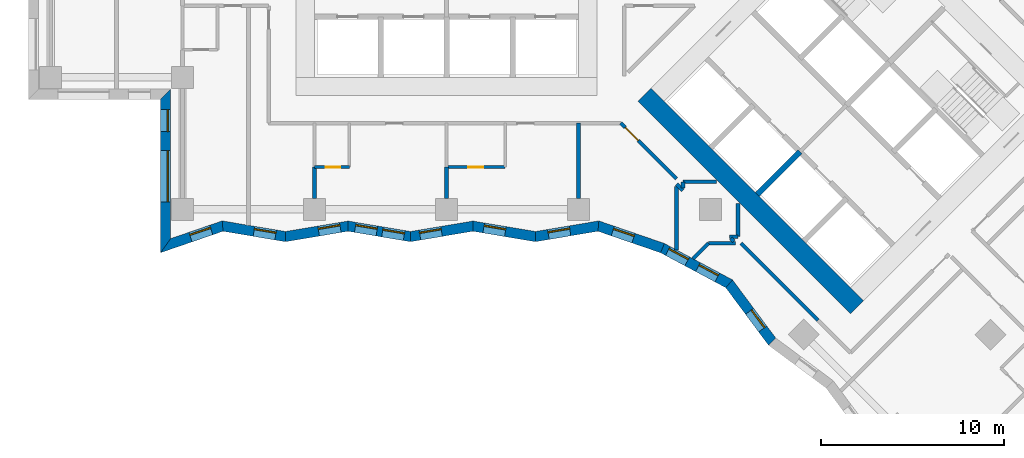
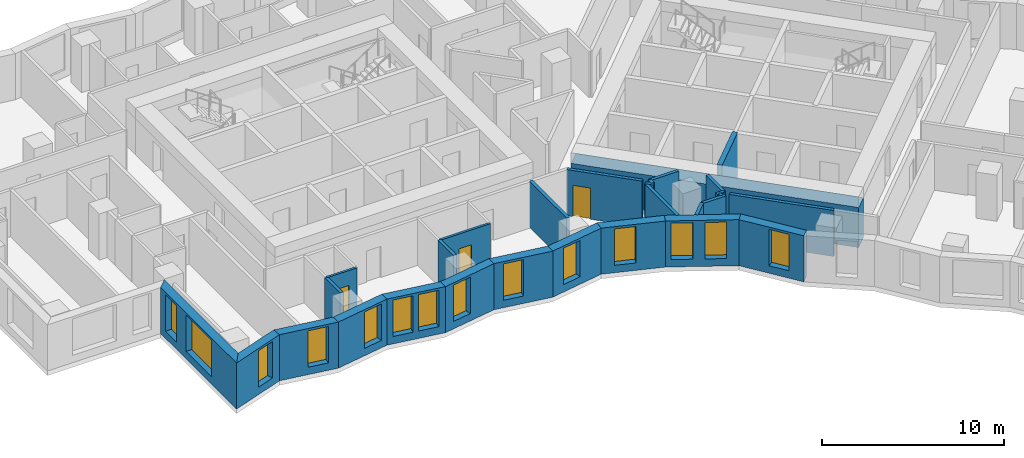
# One storey, part 2 of 12: 29 walls, 14 windows, 3 doors, 17 openings.
"""IFC4 building model written with IfcOpenShell, lengths in metres."""

import ifcopenshell
import ifcopenshell.guid

model = None  # the IFC model being written
_history = None  # IfcOwnerHistory: only IFC2X3 demands one
_inside = {}  # id of a spatial element -> (the spatial element, [elements in it])
_under = {}  # id of a project, library or spatial element -> (it, [spatial elements below it])
_declared = {}  # id of a project -> (the project, [libraries it declares])
_typed = {}  # id of a type object -> (the type object, [elements of that type])
_made_of = {}  # id of a material, layer set ... -> (it, [elements and type objects made of it])


def new_model(schema):
    """Start an empty IFC model of exactly this schema.

    Asked for "IFC4X3", IfcOpenShell would pick the latest addendum, in which some entities
    have other attributes; the version numbers below select the first issue.
    IFC2X3 requires an IfcOwnerHistory on every rooted entity: one is made here for all.
    """
    global model, _history
    if schema == "IFC4X3":
        model = ifcopenshell.file(schema_version=(4, 3, 0, 0))
    else:
        model = ifcopenshell.file(schema=schema)
    _inside.clear()
    _under.clear()
    _declared.clear()
    _typed.clear()
    _made_of.clear()
    _history = None
    if model.schema == "IFC2X3":
        org = make("IfcOrganization", Name="unknown")
        user = make(
            "IfcPersonAndOrganization",
            ThePerson=make("IfcPerson", FamilyName="unknown"),
            TheOrganization=org,
        )
        app = make(
            "IfcApplication",
            ApplicationDeveloper=org,
            Version="unknown",
            ApplicationFullName="unknown",
            ApplicationIdentifier="unknown",
        )
        _history = make(
            "IfcOwnerHistory",
            OwningUser=user,
            OwningApplication=app,
            ChangeAction="ADDED",
            CreationDate=0,
        )
    return model


def make(cls, **values):
    """One entity of the class cls with the attributes given. An attribute that is None is left unset."""
    return model.create_entity(
        cls, **{name: value for name, value in values.items() if value is not None}
    )


def rooted(cls, **values):
    """An entity with a GlobalId (a new one), such as an element, a storey or a relation."""
    return make(cls, GlobalId=ifcopenshell.guid.new(), OwnerHistory=_history, **values)


def si_unit(unit_type, name, prefix=None):
    """IfcSIUnit, for example si_unit("LENGTHUNIT", "METRE", prefix="MILLI")."""
    return make("IfcSIUnit", UnitType=unit_type, Prefix=prefix, Name=name)


def assignment(units):
    """IfcUnitAssignment: the units of a project."""
    return None if units is None else make("IfcUnitAssignment", Units=units)


def point(xyz):
    """IfcCartesianPoint."""
    return None if xyz is None else make("IfcCartesianPoint", Coordinates=xyz)


def direction(xyz):
    """IfcDirection."""
    return None if xyz is None else make("IfcDirection", DirectionRatios=xyz)


def frame(location, z_axis=None, x_axis=None):
    """IfcAxis2Placement3D, a coordinate frame: its origin and axes. An axis left out is left unset."""
    return make(
        "IfcAxis2Placement3D",
        Location=point(location),
        Axis=direction(z_axis),
        RefDirection=direction(x_axis),
    )


def frame_2d(location, x_axis=None):
    """IfcAxis2Placement2D, a coordinate frame in the plane: its origin and x axis."""
    return make(
        "IfcAxis2Placement2D", Location=point(location), RefDirection=direction(x_axis)
    )


def origin():
    """The frame at (0, 0, 0) with its axes left unset."""
    return frame((0.0, 0.0, 0.0))


def place(relative_to, where):
    """IfcLocalPlacement: puts the frame where relative to a parent placement (None: the world)."""
    return make(
        "IfcLocalPlacement", PlacementRelTo=relative_to, RelativePlacement=where
    )


def context(
    kind, dimensions, precision=None, world=None, true_north=None, identifier=None
):
    """IfcGeometricRepresentationContext, for example the 3D "Model" context."""
    return make(
        "IfcGeometricRepresentationContext",
        ContextIdentifier=identifier,
        ContextType=kind,
        CoordinateSpaceDimension=dimensions,
        Precision=precision,
        WorldCoordinateSystem=world,
        TrueNorth=true_north,
    )


def subcontext(parent, identifier, kind, view, scale=None):
    """IfcGeometricRepresentationSubContext, for example "Body" below "Model"."""
    return make(
        "IfcGeometricRepresentationSubContext",
        ContextIdentifier=identifier,
        ContextType=kind,
        ParentContext=parent,
        TargetScale=scale,
        TargetView=view,
    )


def project(units=None, contexts=None):
    """IfcProject with its units and contexts."""
    return rooted(
        "IfcProject",
        Name="project",
        RepresentationContexts=contexts,
        UnitsInContext=assignment(units),
    )


def spatial(cls, under=None, at=None, **own):
    """A site, building, storey or space (cls), placed at a placement, below another one or the project."""
    s = rooted(cls, ObjectPlacement=at, **own)
    if under is not None:
        _under.setdefault(under.id(), (under, []))[1].append(s)
    return s


def polyline(points):
    """IfcPolyline through the points."""
    return make("IfcPolyline", Points=[point(p) for p in points])


def profile(cls, at=None, kind="AREA", **sizes):
    """A parametric profile (cls). Its sizes go by their IFC names, for example OverallWidth=200.0."""
    return make(cls, ProfileType=kind, Position=at, **sizes)


def rectangle(**sizes):
    """IfcRectangleProfileDef."""
    return profile("IfcRectangleProfileDef", **sizes)


def outline(outer, holes=None, kind="AREA"):
    """IfcArbitraryClosedProfileDef: a profile drawn as a closed curve; with holes, ...WithVoids."""
    if holes is None:
        return make("IfcArbitraryClosedProfileDef", ProfileType=kind, OuterCurve=outer)
    return make(
        "IfcArbitraryProfileDefWithVoids",
        ProfileType=kind,
        OuterCurve=outer,
        InnerCurves=holes,
    )


def extrude(swept, where, along, depth):
    """IfcExtrudedAreaSolid: the profile swept, set in the frame where, extruded along a direction by depth."""
    return make(
        "IfcExtrudedAreaSolid",
        SweptArea=swept,
        Position=where,
        ExtrudedDirection=direction(along),
        Depth=depth,
    )


def shape(context_of_items, identifier, shape_type, items):
    """IfcShapeRepresentation: the items that make up one representation, for example the "Body"."""
    return make(
        "IfcShapeRepresentation",
        ContextOfItems=context_of_items,
        RepresentationIdentifier=identifier,
        RepresentationType=shape_type,
        Items=items,
    )


def material(Name=None, Category=None):
    """IfcMaterial."""
    return make("IfcMaterial", Name=Name, Category=Category)


def layer(
    of_material, thickness, ventilated=None, Name=None, Category=None, Priority=None
):
    """IfcMaterialLayer: one layer of a wall or slab, of a material (None: an air gap)."""
    return make(
        "IfcMaterialLayer",
        Material=of_material,
        LayerThickness=thickness,
        IsVentilated=ventilated,
        Name=Name,
        Category=Category,
        Priority=Priority,
    )


def layer_set(layers, Name=None):
    """IfcMaterialLayerSet."""
    return make("IfcMaterialLayerSet", MaterialLayers=layers, LayerSetName=Name)


def made_of(thing, what):
    """Note that an element or type object is made of a material, layer set ...; save() writes the relation."""
    if what is not None:
        _made_of.setdefault(what.id(), (what, []))[1].append(thing)
    return thing


def type_object(cls, material=None, **own):
    """A type object (cls), such as IfcWallType, which elements share."""
    return made_of(rooted(cls, **own), material)


def element(
    cls,
    number,
    at=None,
    inside=None,
    cuts=None,
    type_object=None,
    material=None,
    context=None,
    identifier="Body",
    shape_type=None,
    held_by="IfcProductDefinitionShape",
    body=None,
    shapes=None,
    **own,
):
    """One element of the class cls, such as IfcWall. Its Tag is "e" and its number.

    at: its placement. inside: the storey or other place that contains it. cuts: it is an
    opening in that element (IfcRelVoidsElement). A single representation is given by context,
    identifier, shape_type and body (its items); several are given by shapes. held_by: the class
    of the entity that holds the representations. save() writes the other relations.
    """
    e = rooted(cls, Tag="e%d" % number, ObjectPlacement=at, **own)
    if body is not None:
        shapes = [shape(context, identifier, shape_type, body)]
    if shapes is not None:
        e.Representation = make(held_by, Representations=shapes)
    if inside is not None:
        _inside.setdefault(inside.id(), (inside, []))[1].append(e)
    if cuts is not None:
        rooted(
            "IfcRelVoidsElement", RelatingBuildingElement=cuts, RelatedOpeningElement=e
        )
    if type_object is not None:
        _typed.setdefault(type_object.id(), (type_object, []))[1].append(e)
    return made_of(e, material)


def fill(opening, filler):
    """IfcRelFillsElement: the door or window that sits in an opening."""
    return rooted(
        "IfcRelFillsElement",
        RelatingOpeningElement=opening,
        RelatedBuildingElement=filler,
    )


def aggregate(whole, parts):
    """IfcRelAggregates: a whole, such as a stair, and the parts it consists of."""
    return rooted("IfcRelAggregates", RelatingObject=whole, RelatedObjects=parts)


def save(model, path):
    """Write the relations noted so far, then the file.

    IfcRelAggregates (storeys below a building ...), IfcRelContainedInSpatialStructure (elements
    in a storey), IfcRelDefinesByType, IfcRelAssociatesMaterial and IfcRelDeclares: one each for
    every whole, place, type object, material and project.
    """
    for whole, parts in _under.values():
        aggregate(whole, parts)
    for where, things in _inside.values():
        rooted(
            "IfcRelContainedInSpatialStructure",
            RelatedElements=things,
            RelatingStructure=where,
        )
    for kind, things in _typed.values():
        rooted("IfcRelDefinesByType", RelatedObjects=things, RelatingType=kind)
    for what, things in _made_of.values():
        rooted("IfcRelAssociatesMaterial", RelatedObjects=things, RelatingMaterial=what)
    for by, libraries in _declared.values():
        rooted("IfcRelDeclares", RelatingContext=by, RelatedDefinitions=libraries)
    model.write(path)


model = new_model("IFC4")

# Units and contexts
model_context = context("Model", 3, precision=1e-05, world=origin(), true_north=direction((0.0, 1.0)))
body_context = subcontext(model_context, "Body", "Model", "MODEL_VIEW")
ifc_project = project(units=[si_unit("LENGTHUNIT", "METRE"), si_unit("AREAUNIT", "SQUARE_METRE"), si_unit("VOLUMEUNIT", "CUBIC_METRE"), si_unit("PLANEANGLEUNIT", "RADIAN"), si_unit("MASSUNIT", "GRAM", prefix="KILO")], contexts=[model_context])

# Site, building, storey
site_placement = place(None, origin())
site = spatial("IfcSite", under=ifc_project, at=site_placement, CompositionType="ELEMENT")
building_placement = place(site_placement, origin())
building = spatial("IfcBuilding", under=site, at=building_placement, Name="Windrow Commons", CompositionType="ELEMENT")
storey_placement = place(building_placement, frame((0.0, 0.0, 57.6)))
storey = spatial("IfcBuildingStorey", under=building, at=storey_placement, Name="L15", CompositionType="ELEMENT", Elevation=57.6)

# Wall, openings, windows
ifc_material_1 = material(Name="Brick masonry, red clay brick", Category="masonry")
ifc_layer_1 = layer(ifc_material_1, 0.55)
ifc_layer_set_1 = layer_set([ifc_layer_1], Name="Brick facade wall 550")
wall_type_1 = type_object("IfcWallType", Name="Brick facade wall 550", PredefinedType="SOLIDWALL", material=ifc_layer_set_1)
wall_1_placement = place(storey_placement, frame((49.475, 49.475, 0.0), z_axis=(0.0, 0.0, 1.0), x_axis=(0.0, -1.0, 0.0)))
wall_1 = element("IfcWall", 1, at=wall_1_placement, inside=storey, type_object=wall_type_1, Name="Brick facade wall L15 45", PredefinedType="SOLIDWALL", context=body_context, shape_type="SweptSolid", body=[
    extrude(outline(polyline([(0.275, -0.275), (8.647, -0.275), (7.8763, 0.275), (-0.275, 0.275), (0.275, -0.275)])), origin(), (0.0, 0.0, 1.0), 3.1),
])
opening_1_placement = place(wall_1_placement, frame((3.075, 0.0, 0.5)))
opening_1 = element("IfcOpeningElement", 2, at=opening_1_placement, cuts=wall_1, Name="Opening W1T", PredefinedType="OPENING", context=body_context, shape_type="SweptSolid", body=[
    extrude(rectangle(XDim=2.8, YDim=2.45, at=frame_2d((1.4, 1.225))), frame((0.0, 0.285, 0.0), z_axis=(0.0, -1.0, 0.0), x_axis=(1.0, 0.0, 0.0)), (0.0, 0.0, 1.0), 0.57),
])
opening_2_placement = place(wall_1_placement, frame((0.8375, 0.0, 0.5)))
opening_2 = element("IfcOpeningElement", 3, at=opening_2_placement, cuts=wall_1, Name="Opening W7D", PredefinedType="OPENING", context=body_context, shape_type="SweptSolid", body=[
    extrude(rectangle(XDim=1.2, YDim=2.45, at=frame_2d((0.6, 1.225))), frame((0.0, 0.285, 0.0), z_axis=(0.0, -1.0, 0.0), x_axis=(1.0, 0.0, 0.0)), (0.0, 0.0, 1.0), 0.57),
])
ifc_material_2 = material(Name="Clear float glass in anodised aluminium frame", Category="aluminium")
window_type_1 = type_object("IfcWindowType", Name="Window W1T bedroom 2800x2450", PartitioningType="SINGLE_PANEL", PredefinedType="WINDOW", material=ifc_material_2)
window_1_placement = place(opening_1_placement, origin())
window_1 = element("IfcWindow", 4, at=window_1_placement, inside=storey, type_object=window_type_1, Name="Window L15 45.1", OverallHeight=2.45, OverallWidth=2.8, PartitioningType="SINGLE_PANEL", PredefinedType="WINDOW", context=body_context, shape_type="SweptSolid", body=[
    extrude(rectangle(XDim=2.8, YDim=2.45, at=frame_2d((1.4, 1.225))), frame((0.0, 0.155, 0.0), z_axis=(0.0, -1.0, 0.0), x_axis=(1.0, 0.0, 0.0)), (0.0, 0.0, 1.0), 0.06),
])
fill(opening_1, window_1)
ifc_material_3 = material(Name="Clear float glass in anodised aluminium frame", Category="aluminium")
window_type_2 = type_object("IfcWindowType", Name="Window W7 notch 1200x2450", PartitioningType="SINGLE_PANEL", PredefinedType="WINDOW", material=ifc_material_3)
window_2_placement = place(opening_2_placement, origin())
window_2 = element("IfcWindow", 5, at=window_2_placement, inside=storey, type_object=window_type_2, Name="Window L15 45.2", OverallHeight=2.45, OverallWidth=1.2, PartitioningType="SINGLE_PANEL", PredefinedType="WINDOW", context=body_context, shape_type="SweptSolid", body=[
    extrude(rectangle(XDim=1.2, YDim=2.45, at=frame_2d((0.6, 1.225))), frame((0.0, 0.155, 0.0), z_axis=(0.0, -1.0, 0.0), x_axis=(1.0, 0.0, 0.0)), (0.0, 0.0, 1.0), 0.06),
])
fill(opening_2, window_2)

# Wall, opening, window
wall_2_placement = place(storey_placement, frame((49.475, 41.2133, 0.0), z_axis=(0.0, 0.0, 1.0), x_axis=(0.9456585559, 0.3251613379, 0.0)))
wall_2 = element("IfcWall", 6, at=wall_2_placement, inside=storey, type_object=wall_type_1, Name="Brick facade wall L15 46", PredefinedType="SOLIDWALL", context=body_context, shape_type="SweptSolid", body=[
    extrude(outline(polyline([(-0.3853, -0.275), (3.2193, -0.275), (3.359, 0.275), (0.3853, 0.275), (-0.3853, -0.275)])), origin(), (0.0, 0.0, 1.0), 3.1),
])
opening_3_placement = place(wall_2_placement, frame((1.4336, 0.0, 0.5)))
opening_3 = element("IfcOpeningElement", 7, at=opening_3_placement, cuts=wall_2, Name="Opening W7D", PredefinedType="OPENING", context=body_context, shape_type="SweptSolid", body=[
    extrude(rectangle(XDim=1.2, YDim=2.45, at=frame_2d((0.6, 1.225))), frame((0.0, 0.285, 0.0), z_axis=(0.0, -1.0, 0.0), x_axis=(1.0, 0.0, 0.0)), (0.0, 0.0, 1.0), 0.57),
])
window_3_placement = place(opening_3_placement, origin())
window_3 = element("IfcWindow", 8, at=window_3_placement, inside=storey, type_object=window_type_2, Name="Window L15 46.1", OverallHeight=2.45, OverallWidth=1.2, PartitioningType="SINGLE_PANEL", PredefinedType="WINDOW", context=body_context, shape_type="SweptSolid", body=[
    extrude(rectangle(XDim=1.2, YDim=2.45, at=frame_2d((0.6, 1.225))), frame((0.0, 0.155, 0.0), z_axis=(0.0, -1.0, 0.0), x_axis=(1.0, 0.0, 0.0)), (0.0, 0.0, 1.0), 0.06),
])
fill(opening_3, window_3)

wall_3_placement = place(storey_placement, frame((52.5854, 42.2828, 0.0), z_axis=(0.0, 0.0, 1.0), x_axis=(0.9862084709, -0.1655078606, 0.0)))
wall_3 = element("IfcWall", 9, at=wall_3_placement, inside=storey, type_object=wall_type_1, Name="Brick facade wall L15 47", PredefinedType="SOLIDWALL", context=body_context, shape_type="SweptSolid", body=[
    extrude(outline(polyline([(0.0698, -0.275), (3.5263, -0.275), (3.434, 0.275), (-0.0698, 0.275), (0.0698, -0.275)])), origin(), (0.0, 0.0, 1.0), 3.1),
])
opening_4_placement = place(wall_3_placement, frame((1.7342, 0.0, 0.5)))
opening_4 = element("IfcOpeningElement", 10, at=opening_4_placement, cuts=wall_3, Name="Opening W7D", PredefinedType="OPENING", context=body_context, shape_type="SweptSolid", body=[
    extrude(rectangle(XDim=1.2, YDim=2.45, at=frame_2d((0.6, 1.225))), frame((0.0, 0.285, 0.0), z_axis=(0.0, -1.0, 0.0), x_axis=(1.0, 0.0, 0.0)), (0.0, 0.0, 1.0), 0.57),
])
window_4_placement = place(opening_4_placement, origin())
window_4 = element("IfcWindow", 11, at=window_4_placement, inside=storey, type_object=window_type_2, Name="Window L15 47.1", OverallHeight=2.45, OverallWidth=1.2, PartitioningType="SINGLE_PANEL", PredefinedType="WINDOW", context=body_context, shape_type="SweptSolid", body=[
    extrude(rectangle(XDim=1.2, YDim=2.45, at=frame_2d((0.6, 1.225))), frame((0.0, 0.155, 0.0), z_axis=(0.0, -1.0, 0.0), x_axis=(1.0, 0.0, 0.0)), (0.0, 0.0, 1.0), 0.06),
])
fill(opening_4, window_4)

wall_4_placement = place(storey_placement, frame((56.0176, 41.7068, 0.0), z_axis=(0.0, 0.0, 1.0), x_axis=(0.9862119159, 0.1654873316, 0.0)))
wall_4 = element("IfcWall", 12, at=wall_4_placement, inside=storey, type_object=wall_type_1, Name="Brick facade wall L15 48", PredefinedType="SOLIDWALL", context=body_context, shape_type="SweptSolid", body=[
    extrude(outline(polyline([(-0.0461, -0.275), (3.4103, -0.275), (3.5026, 0.275), (0.0461, 0.275), (-0.0461, -0.275)])), origin(), (0.0, 0.0, 1.0), 3.1),
])
opening_5_placement = place(wall_4_placement, frame((1.8305, 0.0, 0.5)))
opening_5 = element("IfcOpeningElement", 13, at=opening_5_placement, cuts=wall_4, Name="Opening W7D", PredefinedType="OPENING", context=body_context, shape_type="SweptSolid", body=[
    extrude(rectangle(XDim=1.2, YDim=2.45, at=frame_2d((0.6, 1.225))), frame((0.0, 0.285, 0.0), z_axis=(0.0, -1.0, 0.0), x_axis=(1.0, 0.0, 0.0)), (0.0, 0.0, 1.0), 0.57),
])
window_5_placement = place(opening_5_placement, origin())
window_5 = element("IfcWindow", 14, at=window_5_placement, inside=storey, type_object=window_type_2, Name="Window L15 48.1", OverallHeight=2.45, OverallWidth=1.2, PartitioningType="SINGLE_PANEL", PredefinedType="WINDOW", context=body_context, shape_type="SweptSolid", body=[
    extrude(rectangle(XDim=1.2, YDim=2.45, at=frame_2d((0.6, 1.225))), frame((0.0, 0.155, 0.0), z_axis=(0.0, -1.0, 0.0), x_axis=(1.0, 0.0, 0.0)), (0.0, 0.0, 1.0), 0.06),
])
fill(opening_5, window_5)

# Wall, openings, windows
wall_5_placement = place(storey_placement, frame((59.4264, 42.2788, 0.0), z_axis=(0.0, 0.0, 1.0), x_axis=(0.9862119159, -0.1654873316, 0.0)))
wall_5 = element("IfcWall", 15, at=wall_5_placement, inside=storey, type_object=wall_type_1, Name="Brick facade wall L15 49", PredefinedType="SOLIDWALL", context=body_context, shape_type="SweptSolid", body=[
    extrude(outline(polyline([(0.0461, -0.275), (3.5026, -0.275), (3.4103, 0.275), (-0.0461, 0.275), (0.0461, -0.275)])), origin(), (0.0, 0.0, 1.0), 3.1),
])
opening_6_placement = place(wall_5_placement, frame((0.3992, 0.0, 0.5)))
opening_6 = element("IfcOpeningElement", 16, at=opening_6_placement, cuts=wall_5, Name="Opening W7D", PredefinedType="OPENING", context=body_context, shape_type="SweptSolid", body=[
    extrude(rectangle(XDim=1.2, YDim=2.45, at=frame_2d((0.6, 1.225))), frame((0.0, 0.285, 0.0), z_axis=(0.0, -1.0, 0.0), x_axis=(1.0, 0.0, 0.0)), (0.0, 0.0, 1.0), 0.57),
])
opening_7_placement = place(wall_5_placement, frame((1.9043, 0.0, 0.5)))
opening_7 = element("IfcOpeningElement", 17, at=opening_7_placement, cuts=wall_5, Name="Opening W7D", PredefinedType="OPENING", context=body_context, shape_type="SweptSolid", body=[
    extrude(rectangle(XDim=1.2, YDim=2.45, at=frame_2d((0.6, 1.225))), frame((0.0, 0.285, 0.0), z_axis=(0.0, -1.0, 0.0), x_axis=(1.0, 0.0, 0.0)), (0.0, 0.0, 1.0), 0.57),
])
window_6_placement = place(opening_6_placement, origin())
window_6 = element("IfcWindow", 18, at=window_6_placement, inside=storey, type_object=window_type_2, Name="Window L15 49.1", OverallHeight=2.45, OverallWidth=1.2, PartitioningType="SINGLE_PANEL", PredefinedType="WINDOW", context=body_context, shape_type="SweptSolid", body=[
    extrude(rectangle(XDim=1.2, YDim=2.45, at=frame_2d((0.6, 1.225))), frame((0.0, 0.155, 0.0), z_axis=(0.0, -1.0, 0.0), x_axis=(1.0, 0.0, 0.0)), (0.0, 0.0, 1.0), 0.06),
])
fill(opening_6, window_6)
window_7_placement = place(opening_7_placement, origin())
window_7 = element("IfcWindow", 19, at=window_7_placement, inside=storey, type_object=window_type_2, Name="Window L15 49.2", OverallHeight=2.45, OverallWidth=1.2, PartitioningType="SINGLE_PANEL", PredefinedType="WINDOW", context=body_context, shape_type="SweptSolid", body=[
    extrude(rectangle(XDim=1.2, YDim=2.45, at=frame_2d((0.6, 1.225))), frame((0.0, 0.155, 0.0), z_axis=(0.0, -1.0, 0.0), x_axis=(1.0, 0.0, 0.0)), (0.0, 0.0, 1.0), 0.06),
])
fill(opening_7, window_7)

# Wall, opening, window
wall_6_placement = place(storey_placement, frame((62.8352, 41.7068, 0.0), z_axis=(0.0, 0.0, 1.0), x_axis=(0.9862119159, 0.1654873316, 0.0)))
wall_6 = element("IfcWall", 20, at=wall_6_placement, inside=storey, type_object=wall_type_1, Name="Brick facade wall L15 50", PredefinedType="SOLIDWALL", context=body_context, shape_type="SweptSolid", body=[
    extrude(outline(polyline([(-0.0461, -0.275), (3.4103, -0.275), (3.5026, 0.275), (0.0461, 0.275), (-0.0461, -0.275)])), origin(), (0.0, 0.0, 1.0), 3.1),
])
opening_8_placement = place(wall_6_placement, frame((0.5192, 0.0, 0.5)))
opening_8 = element("IfcOpeningElement", 21, at=opening_8_placement, cuts=wall_6, Name="Opening W7D", PredefinedType="OPENING", context=body_context, shape_type="SweptSolid", body=[
    extrude(rectangle(XDim=1.2, YDim=2.45, at=frame_2d((0.6, 1.225))), frame((0.0, 0.285, 0.0), z_axis=(0.0, -1.0, 0.0), x_axis=(1.0, 0.0, 0.0)), (0.0, 0.0, 1.0), 0.57),
])
window_8_placement = place(opening_8_placement, origin())
window_8 = element("IfcWindow", 22, at=window_8_placement, inside=storey, type_object=window_type_2, Name="Window L15 50.1", OverallHeight=2.45, OverallWidth=1.2, PartitioningType="SINGLE_PANEL", PredefinedType="WINDOW", context=body_context, shape_type="SweptSolid", body=[
    extrude(rectangle(XDim=1.2, YDim=2.45, at=frame_2d((0.6, 1.225))), frame((0.0, 0.155, 0.0), z_axis=(0.0, -1.0, 0.0), x_axis=(1.0, 0.0, 0.0)), (0.0, 0.0, 1.0), 0.06),
])
fill(opening_8, window_8)

wall_7_placement = place(storey_placement, frame((66.244, 42.2788, 0.0), z_axis=(0.0, 0.0, 1.0), x_axis=(0.9862119159, -0.1654873316, 0.0)))
wall_7 = element("IfcWall", 23, at=wall_7_placement, inside=storey, type_object=wall_type_1, Name="Brick facade wall L15 51", PredefinedType="SOLIDWALL", context=body_context, shape_type="SweptSolid", body=[
    extrude(outline(polyline([(0.0461, -0.275), (3.5026, -0.275), (3.4103, 0.275), (-0.0461, 0.275), (0.0461, -0.275)])), origin(), (0.0, 0.0, 1.0), 3.1),
])
opening_9_placement = place(wall_7_placement, frame((0.5931, 0.0, 0.5)))
opening_9 = element("IfcOpeningElement", 24, at=opening_9_placement, cuts=wall_7, Name="Opening W7D", PredefinedType="OPENING", context=body_context, shape_type="SweptSolid", body=[
    extrude(rectangle(XDim=1.2, YDim=2.45, at=frame_2d((0.6, 1.225))), frame((0.0, 0.285, 0.0), z_axis=(0.0, -1.0, 0.0), x_axis=(1.0, 0.0, 0.0)), (0.0, 0.0, 1.0), 0.57),
])
window_9_placement = place(opening_9_placement, origin())
window_9 = element("IfcWindow", 25, at=window_9_placement, inside=storey, type_object=window_type_2, Name="Window L15 51.1", OverallHeight=2.45, OverallWidth=1.2, PartitioningType="SINGLE_PANEL", PredefinedType="WINDOW", context=body_context, shape_type="SweptSolid", body=[
    extrude(rectangle(XDim=1.2, YDim=2.45, at=frame_2d((0.6, 1.225))), frame((0.0, 0.155, 0.0), z_axis=(0.0, -1.0, 0.0), x_axis=(1.0, 0.0, 0.0)), (0.0, 0.0, 1.0), 0.06),
])
fill(opening_9, window_9)

wall_8_placement = place(storey_placement, frame((69.6528, 41.7068, 0.0), z_axis=(0.0, 0.0, 1.0), x_axis=(0.9862084709, 0.1655078606, 0.0)))
wall_8 = element("IfcWall", 26, at=wall_8_placement, inside=storey, type_object=wall_type_1, Name="Brick facade wall L15 52", PredefinedType="SOLIDWALL", context=body_context, shape_type="SweptSolid", body=[
    extrude(outline(polyline([(-0.0461, -0.275), (3.4103, -0.275), (3.55, 0.275), (0.0461, 0.275), (-0.0461, -0.275)])), origin(), (0.0, 0.0, 1.0), 3.1),
])
opening_10_placement = place(wall_8_placement, frame((0.7131, 0.0, 0.5)))
opening_10 = element("IfcOpeningElement", 27, at=opening_10_placement, cuts=wall_8, Name="Opening W7D", PredefinedType="OPENING", context=body_context, shape_type="SweptSolid", body=[
    extrude(rectangle(XDim=1.2, YDim=2.45, at=frame_2d((0.6, 1.225))), frame((0.0, 0.285, 0.0), z_axis=(0.0, -1.0, 0.0), x_axis=(1.0, 0.0, 0.0)), (0.0, 0.0, 1.0), 0.57),
])
window_10_placement = place(opening_10_placement, origin())
window_10 = element("IfcWindow", 28, at=window_10_placement, inside=storey, type_object=window_type_2, Name="Window L15 52.1", OverallHeight=2.45, OverallWidth=1.2, PartitioningType="SINGLE_PANEL", PredefinedType="WINDOW", context=body_context, shape_type="SweptSolid", body=[
    extrude(rectangle(XDim=1.2, YDim=2.45, at=frame_2d((0.6, 1.225))), frame((0.0, 0.155, 0.0), z_axis=(0.0, -1.0, 0.0), x_axis=(1.0, 0.0, 0.0)), (0.0, 0.0, 1.0), 0.06),
])
fill(opening_10, window_10)

wall_9_placement = place(storey_placement, frame((73.085, 42.2828, 0.0), z_axis=(0.0, 0.0, 1.0), x_axis=(0.9456655462, -0.3251410075, 0.0)))
wall_9 = element("IfcWall", 29, at=wall_9_placement, inside=storey, type_object=wall_type_1, Name="Brick facade wall L15 53", PredefinedType="SOLIDWALL", context=body_context, shape_type="SweptSolid", body=[
    extrude(outline(polyline([(0.0698, -0.275), (3.6745, -0.275), (3.7186, 0.275), (-0.0698, 0.275), (0.0698, -0.275)])), origin(), (0.0, 0.0, 1.0), 3.1),
])
opening_11_placement = place(wall_9_placement, frame((0.8297, 0.0, 0.5)))
opening_11 = element("IfcOpeningElement", 30, at=opening_11_placement, cuts=wall_9, Name="Opening W7D", PredefinedType="OPENING", context=body_context, shape_type="SweptSolid", body=[
    extrude(rectangle(XDim=1.2, YDim=2.45, at=frame_2d((0.6, 1.225))), frame((0.0, 0.285, 0.0), z_axis=(0.0, -1.0, 0.0), x_axis=(1.0, 0.0, 0.0)), (0.0, 0.0, 1.0), 0.57),
])
window_11_placement = place(opening_11_placement, origin())
window_11 = element("IfcWindow", 31, at=window_11_placement, inside=storey, type_object=window_type_2, Name="Window L15 53.1", OverallHeight=2.45, OverallWidth=1.2, PartitioningType="SINGLE_PANEL", PredefinedType="WINDOW", context=body_context, shape_type="SweptSolid", body=[
    extrude(rectangle(XDim=1.2, YDim=2.45, at=frame_2d((0.6, 1.225))), frame((0.0, 0.155, 0.0), z_axis=(0.0, -1.0, 0.0), x_axis=(1.0, 0.0, 0.0)), (0.0, 0.0, 1.0), 0.06),
])
fill(opening_11, window_11)

# Wall, openings, windows
wall_10_placement = place(storey_placement, frame((76.5807, 41.0809, 0.0), z_axis=(0.0, 0.0, 1.0), x_axis=(0.8817457272, -0.4717249968, 0.0)))
wall_10 = element("IfcWall", 32, at=wall_10_placement, inside=storey, type_object=wall_type_1, Name="Brick facade wall L15 54", PredefinedType="SOLIDWALL", context=body_context, shape_type="SweptSolid", body=[
    extrude(outline(polyline([(0.0221, -0.275), (4.0645, -0.275), (4.1878, 0.275), (-0.0221, 0.275), (0.0221, -0.275)])), origin(), (0.0, 0.0, 1.0), 3.1),
])
opening_12_placement = place(wall_10_placement, frame((0.3302, 0.0, 0.5)))
opening_12 = element("IfcOpeningElement", 33, at=opening_12_placement, cuts=wall_10, Name="Opening W7D", PredefinedType="OPENING", context=body_context, shape_type="SweptSolid", body=[
    extrude(rectangle(XDim=1.2, YDim=2.45, at=frame_2d((0.6, 1.225))), frame((0.0, 0.285, 0.0), z_axis=(0.0, -1.0, 0.0), x_axis=(1.0, 0.0, 0.0)), (0.0, 0.0, 1.0), 0.57),
])
opening_13_placement = place(wall_10_placement, frame((2.1932, 0.0, 0.5)))
opening_13 = element("IfcOpeningElement", 34, at=opening_13_placement, cuts=wall_10, Name="Opening W7D", PredefinedType="OPENING", context=body_context, shape_type="SweptSolid", body=[
    extrude(rectangle(XDim=1.2, YDim=2.45, at=frame_2d((0.6, 1.225))), frame((0.0, 0.285, 0.0), z_axis=(0.0, -1.0, 0.0), x_axis=(1.0, 0.0, 0.0)), (0.0, 0.0, 1.0), 0.57),
])
window_12_placement = place(opening_12_placement, origin())
window_12 = element("IfcWindow", 35, at=window_12_placement, inside=storey, type_object=window_type_2, Name="Window L15 54.1", OverallHeight=2.45, OverallWidth=1.2, PartitioningType="SINGLE_PANEL", PredefinedType="WINDOW", context=body_context, shape_type="SweptSolid", body=[
    extrude(rectangle(XDim=1.2, YDim=2.45, at=frame_2d((0.6, 1.225))), frame((0.0, 0.155, 0.0), z_axis=(0.0, -1.0, 0.0), x_axis=(1.0, 0.0, 0.0)), (0.0, 0.0, 1.0), 0.06),
])
fill(opening_12, window_12)
window_13_placement = place(opening_13_placement, origin())
window_13 = element("IfcWindow", 36, at=window_13_placement, inside=storey, type_object=window_type_2, Name="Window L15 54.2", OverallHeight=2.45, OverallWidth=1.2, PartitioningType="SINGLE_PANEL", PredefinedType="WINDOW", context=body_context, shape_type="SweptSolid", body=[
    extrude(rectangle(XDim=1.2, YDim=2.45, at=frame_2d((0.6, 1.225))), frame((0.0, 0.155, 0.0), z_axis=(0.0, -1.0, 0.0), x_axis=(1.0, 0.0, 0.0)), (0.0, 0.0, 1.0), 0.06),
])
fill(opening_13, window_13)

# Wall, opening, window
wall_11_placement = place(storey_placement, frame((80.2189, 39.1345, 0.0), z_axis=(0.0, 0.0, 1.0), x_axis=(0.5960781369, -0.8029264317, 0.0)))
wall_11 = element("IfcWall", 37, at=wall_11_placement, inside=storey, type_object=wall_type_1, Name="Brick facade wall L15 55", PredefinedType="SOLIDWALL", context=body_context, shape_type="SweptSolid", body=[
    extrude(outline(polyline([(0.0616, -0.275), (3.9725, -0.275), (3.8912, 0.275), (-0.0616, 0.275), (0.0616, -0.275)])), origin(), (0.0, 0.0, 1.0), 3.1),
])
opening_14_placement = place(wall_11_placement, frame((1.8724, 0.0, 0.5)))
opening_14 = element("IfcOpeningElement", 38, at=opening_14_placement, cuts=wall_11, Name="Opening W7D", PredefinedType="OPENING", context=body_context, shape_type="SweptSolid", body=[
    extrude(rectangle(XDim=1.2, YDim=2.45, at=frame_2d((0.6, 1.225))), frame((0.0, 0.285, 0.0), z_axis=(0.0, -1.0, 0.0), x_axis=(1.0, 0.0, 0.0)), (0.0, 0.0, 1.0), 0.57),
])
window_14_placement = place(opening_14_placement, origin())
window_14 = element("IfcWindow", 39, at=window_14_placement, inside=storey, type_object=window_type_2, Name="Window L15 55.1", OverallHeight=2.45, OverallWidth=1.2, PartitioningType="SINGLE_PANEL", PredefinedType="WINDOW", context=body_context, shape_type="SweptSolid", body=[
    extrude(rectangle(XDim=1.2, YDim=2.45, at=frame_2d((0.6, 1.225))), frame((0.0, 0.155, 0.0), z_axis=(0.0, -1.0, 0.0), x_axis=(1.0, 0.0, 0.0)), (0.0, 0.0, 1.0), 0.06),
])
fill(opening_14, window_14)

# Wall
ifc_material_4 = material(Name="Blockwork partition", Category="masonry")
ifc_layer_2 = layer(ifc_material_4, 0.2)
ifc_layer_set_2 = layer_set([ifc_layer_2], Name="IW-CORRIDOR-200")
wall_type_2 = type_object("IfcWallType", Name="IW-CORRIDOR-200", PredefinedType="PARTITIONING", material=ifc_layer_set_2)
wall_12_placement = place(storey_placement, frame((85.0698, 37.1418, 0.0), z_axis=(0.0, 0.0, 1.0), x_axis=(-0.7070899851, 0.7071235769, 0.0)))
element("IfcWall", 40, at=wall_12_placement, inside=storey, type_object=wall_type_2, Name="W-L15-W031", PredefinedType="PARTITIONING", context=body_context, shape_type="SweptSolid", body=[
    extrude(rectangle(XDim=5.9538, YDim=0.2, at=frame_2d((2.9769, 0.0))), origin(), (0.0, 0.0, 1.0), 3.1),
])

# Wall, opening, door
wall_13_placement = place(storey_placement, frame((74.3051, 47.8971, 0.0), z_axis=(0.0, 0.0, 1.0), x_axis=(0.7071067812, -0.7071067812, 0.0)))
wall_13 = element("IfcWall", 41, at=wall_13_placement, inside=storey, type_object=wall_type_2, Name="W-L15-W045", PredefinedType="PARTITIONING", context=body_context, shape_type="SweptSolid", body=[
    extrude(rectangle(XDim=4.302, YDim=0.2, at=frame_2d((2.151, 0.0))), origin(), (0.0, 0.0, 1.0), 3.1),
])
opening_15_placement = place(wall_13_placement, frame((0.3446, 0.0, 0.0)))
opening_15 = element("IfcOpeningElement", 42, at=opening_15_placement, cuts=wall_13, Name="Opening D310F", PredefinedType="OPENING", context=body_context, shape_type="SweptSolid", body=[
    extrude(rectangle(XDim=1.0, YDim=2.1, at=frame_2d((0.5, 1.05))), frame((0.0, 0.11, 0.0), z_axis=(0.0, -1.0, 0.0), x_axis=(1.0, 0.0, 0.0)), (0.0, 0.0, 1.0), 0.22),
])
ifc_material_5 = material(Name="Timber door leaf", Category="wood")
door_type_1 = type_object("IfcDoorType", Name="DT-AMENITY-1000", OperationType="SINGLE_SWING_LEFT", PredefinedType="DOOR", material=ifc_material_5)
door_1_placement = place(opening_15_placement, origin())
door_1 = element("IfcDoor", 43, at=door_1_placement, inside=storey, type_object=door_type_1, Name="D-L15-D033", OperationType="SINGLE_SWING_LEFT", OverallHeight=2.1, OverallWidth=1.0, PredefinedType="DOOR", context=body_context, shape_type="SweptSolid", body=[
    extrude(rectangle(XDim=1.0, YDim=2.1, at=frame_2d((0.5, 1.05))), frame((0.0, 0.025, 0.0), z_axis=(0.0, -1.0, 0.0), x_axis=(1.0, 0.0, 0.0)), (0.0, 0.0, 1.0), 0.05),
])
fill(opening_15, door_1)

# Walls
for number, where, z_axis, x_axis, name in (
    (44, (77.702, 44.7, 0.0), (0.0, 0.0, 1.0), (1.0, 0.0, 0.0), "W-L15-W128"),
    (45, (80.7, 41.702, 0.0), (0.0, 0.0, 1.0), (0.0, 1.0, 0.0), "W-L15-W129"),
):
    element("IfcWall", number, at=place(storey_placement, frame(where, z_axis=z_axis, x_axis=x_axis)), inside=storey, type_object=wall_type_2, Name=name, PredefinedType="PARTITIONING", context=body_context, shape_type="SweptSolid", body=[
        extrude(rectangle(XDim=1.814, YDim=0.2, at=frame_2d((0.907, 0.0))), origin(), (0.0, 0.0, 1.0), 3.1),
    ])
wall_14_placement = place(storey_placement, frame((77.3467, 44.5727, 0.0), z_axis=(0.0, 0.0, 1.0), x_axis=(0.7071067812, -0.7071067812, 0.0)))
element("IfcWall", 46, at=wall_14_placement, inside=storey, type_object=wall_type_2, Name="W-L15-W163", PredefinedType="PARTITIONING", context=body_context, shape_type="SweptSolid", body=[
    extrude(rectangle(XDim=0.495, YDim=0.2, at=frame_2d((0.2475, 0.0))), origin(), (0.0, 0.0, 1.0), 3.1),
])
wall_15_placement = place(storey_placement, frame((80.3146, 41.6048, 0.0), z_axis=(0.0, 0.0, 1.0), x_axis=(0.7071067812, -0.7071067812, 0.0)))
element("IfcWall", 47, at=wall_15_placement, inside=storey, type_object=wall_type_2, Name="W-L15-W164", PredefinedType="PARTITIONING", context=body_context, shape_type="SweptSolid", body=[
    extrude(rectangle(XDim=0.225, YDim=0.2, at=frame_2d((0.1125, 0.0))), origin(), (0.0, 0.0, 1.0), 3.1),
])
wall_16_placement = place(storey_placement, frame((77.7, 44.356, 0.0), z_axis=(0.0, 0.0, 1.0), x_axis=(0.0, 1.0, 0.0)))
element("IfcWall", 48, at=wall_16_placement, inside=storey, type_object=wall_type_2, Name="W-L15-W165", PredefinedType="PARTITIONING", context=body_context, shape_type="SweptSolid", body=[
    extrude(rectangle(XDim=0.344, YDim=0.2, at=frame_2d((0.172, 0.0))), origin(), (0.0, 0.0, 1.0), 3.1),
])
wall_17_placement = place(storey_placement, frame((80.226, 41.7, 0.0), z_axis=(0.0, 0.0, 1.0), x_axis=(1.0, 0.0, 0.0)))
element("IfcWall", 49, at=wall_17_placement, inside=storey, type_object=wall_type_2, Name="W-L15-W166", PredefinedType="PARTITIONING", context=body_context, shape_type="SweptSolid", body=[
    extrude(rectangle(XDim=0.474, YDim=0.2, at=frame_2d((0.237, 0.0))), origin(), (0.0, 0.0, 1.0), 3.1),
])

# Wall, opening, door
ifc_material_6 = material(Name="Blockwork partition", Category="masonry")
ifc_layer_3 = layer(ifc_material_6, 0.15)
ifc_layer_set_3 = layer_set([ifc_layer_3], Name="IW-ENSUITE-150")
wall_type_3 = type_object("IfcWallType", Name="IW-ENSUITE-150", PredefinedType="PARTITIONING", material=ifc_layer_set_3)
wall_18_placement = place(storey_placement, frame((64.8, 45.5, 0.0), z_axis=(0.0, 0.0, 1.0), x_axis=(1.0, 0.0, 0.0)))
wall_18 = element("IfcWall", 50, at=wall_18_placement, inside=storey, type_object=wall_type_3, Name="W-L15-W059", PredefinedType="PARTITIONING", context=body_context, shape_type="SweptSolid", body=[
    extrude(rectangle(XDim=3.2, YDim=0.15, at=frame_2d((1.6, 0.0))), origin(), (0.0, 0.0, 1.0), 3.1),
])
opening_16_placement = place(wall_18_placement, frame((1.1958, 0.0, 0.0)))
opening_16 = element("IfcOpeningElement", 51, at=opening_16_placement, cuts=wall_18, Name="Opening D208N", PredefinedType="OPENING", context=body_context, shape_type="SweptSolid", body=[
    extrude(rectangle(XDim=0.8, YDim=2.1, at=frame_2d((0.4, 1.05))), frame((0.0, 0.085, 0.0), z_axis=(0.0, -1.0, 0.0), x_axis=(1.0, 0.0, 0.0)), (0.0, 0.0, 1.0), 0.17),
])
ifc_material_7 = material(Name="Timber door leaf", Category="wood")
door_type_2 = type_object("IfcDoorType", Name="DT-ENSUITE-800", OperationType="SINGLE_SWING_LEFT", PredefinedType="DOOR", material=ifc_material_7)
door_2_placement = place(opening_16_placement, origin())
door_2 = element("IfcDoor", 52, at=door_2_placement, inside=storey, type_object=door_type_2, Name="D-L15-D032", OperationType="SINGLE_SWING_RIGHT", OverallHeight=2.1, OverallWidth=0.8, PredefinedType="DOOR", context=body_context, shape_type="SweptSolid", body=[
    extrude(rectangle(XDim=0.8, YDim=2.1, at=frame_2d((0.4, 1.05))), frame((0.0, 0.025, 0.0), z_axis=(0.0, -1.0, 0.0), x_axis=(1.0, 0.0, 0.0)), (0.0, 0.0, 1.0), 0.05),
])
fill(opening_16, door_2)

wall_19_placement = place(storey_placement, frame((57.6, 45.5, 0.0), z_axis=(0.0, 0.0, 1.0), x_axis=(1.0, 0.0, 0.0)))
wall_19 = element("IfcWall", 53, at=wall_19_placement, inside=storey, type_object=wall_type_3, Name="W-L15-W124", PredefinedType="PARTITIONING", context=body_context, shape_type="SweptSolid", body=[
    extrude(rectangle(XDim=1.9, YDim=0.15, at=frame_2d((0.95, 0.0))), origin(), (0.0, 0.0, 1.0), 3.1),
])
opening_17_placement = place(wall_19_placement, frame((0.6069, 0.0, 0.0)))
opening_17 = element("IfcOpeningElement", 54, at=opening_17_placement, cuts=wall_19, Name="Opening D208N", PredefinedType="OPENING", context=body_context, shape_type="SweptSolid", body=[
    extrude(rectangle(XDim=0.8, YDim=2.1, at=frame_2d((0.4, 1.05))), frame((0.0, 0.085, 0.0), z_axis=(0.0, -1.0, 0.0), x_axis=(1.0, 0.0, 0.0)), (0.0, 0.0, 1.0), 0.17),
])
door_3_placement = place(opening_17_placement, origin())
door_3 = element("IfcDoor", 55, at=door_3_placement, inside=storey, type_object=door_type_2, Name="D-L15-D030", OperationType="SINGLE_SWING_RIGHT", OverallHeight=2.1, OverallWidth=0.8, PredefinedType="DOOR", context=body_context, shape_type="SweptSolid", body=[
    extrude(rectangle(XDim=0.8, YDim=2.1, at=frame_2d((0.4, 1.05))), frame((0.0, 0.025, 0.0), z_axis=(0.0, -1.0, 0.0), x_axis=(1.0, 0.0, 0.0)), (0.0, 0.0, 1.0), 0.05),
])
fill(opening_17, door_3)

# Walls
ifc_material_8 = material(Name="Blockwork partition", Category="masonry")
ifc_layer_4 = layer(ifc_material_8, 0.2)
ifc_layer_set_4 = layer_set([ifc_layer_4], Name="IW-PARTY-200")
wall_type_4 = type_object("IfcWallType", Name="IW-PARTY-200", PredefinedType="PARTITIONING", material=ifc_layer_set_4)
wall_20_placement = place(storey_placement, frame((72.0, 43.8, 0.0), z_axis=(0.0, 0.0, 1.0), x_axis=(0.0, 1.0, 0.0)))
element("IfcWall", 56, at=wall_20_placement, inside=storey, type_object=wall_type_4, Name="W-L15-W047", PredefinedType="PARTITIONING", context=body_context, shape_type="SweptSolid", body=[
    extrude(rectangle(XDim=4.1, YDim=0.2, at=frame_2d((2.05, 0.0))), origin(), (0.0, 0.0, 1.0), 3.1),
])
wall_21_placement = place(storey_placement, frame((77.35, 40.9812, 0.0), z_axis=(0.0, 0.0, 1.0), x_axis=(0.0, 1.0, 0.0)))
element("IfcWall", 57, at=wall_21_placement, inside=storey, type_object=wall_type_4, Name="W-L15-W056", PredefinedType="PARTITIONING", context=body_context, shape_type="SweptSolid", body=[
    extrude(rectangle(XDim=3.4548, YDim=0.2, at=frame_2d((1.7274, 0.0))), origin(), (0.0, 0.0, 1.0), 3.1),
])
for number, where, z_axis, x_axis, name in (
    (58, (57.6, 43.8, 0.0), (0.0, 0.0, 1.0), (0.0, 1.0, 0.0), "W-L15-W136"),
    (59, (64.8, 43.8, 0.0), (0.0, 0.0, 1.0), (0.0, 1.0, 0.0), "W-L15-W138"),
):
    element("IfcWall", number, at=place(storey_placement, frame(where, z_axis=z_axis, x_axis=x_axis)), inside=storey, type_object=wall_type_4, Name=name, PredefinedType="PARTITIONING", context=body_context, shape_type="SweptSolid", body=[
        extrude(rectangle(XDim=1.7, YDim=0.2, at=frame_2d((0.85, 0.0))), origin(), (0.0, 0.0, 1.0), 3.1),
    ])
wall_22_placement = place(storey_placement, frame((79.098, 41.35, 0.0), z_axis=(0.0, 0.0, 1.0), x_axis=(1.0, 0.0, 0.0)))
element("IfcWall", 60, at=wall_22_placement, inside=storey, type_object=wall_type_4, Name="W-L15-W141", PredefinedType="PARTITIONING", context=body_context, shape_type="SweptSolid", body=[
    extrude(rectangle(XDim=1.478, YDim=0.2, at=frame_2d((0.739, 0.0))), origin(), (0.0, 0.0, 1.0), 3.1),
])
wall_23_placement = place(storey_placement, frame((78.2468, 40.5014, 0.0), z_axis=(0.0, 0.0, 1.0), x_axis=(0.7071067812, 0.7071067812, 0.0)))
element("IfcWall", 61, at=wall_23_placement, inside=storey, type_object=wall_type_4, Name="W-L15-W143", PredefinedType="PARTITIONING", context=body_context, shape_type="SweptSolid", body=[
    extrude(rectangle(XDim=1.2005, YDim=0.2, at=frame_2d((0.6002, 0.0))), origin(), (0.0, 0.0, 1.0), 3.1),
])
ifc_material_9 = material(Name="Concrete C60/75", Category="concrete")
ifc_layer_5 = layer(ifc_material_9, 1.0)
ifc_layer_set_5 = layer_set([ifc_layer_5], Name="RC CORE WALL 1000 C60/75")
wall_type_5 = type_object("IfcWallType", Name="RC CORE WALL 1000 C60/75", PredefinedType="SHEAR", material=ifc_layer_set_5)
wall_24_placement = place(storey_placement, frame((75.5938, 49.4433, -0.3), z_axis=(0.0, 0.0, 1.0), x_axis=(0.7071037324, -0.70710983, 0.0)))
element("IfcWall", 62, at=wall_24_placement, inside=storey, type_object=wall_type_5, Name="Core B wall outer-S", PredefinedType="SHEAR", context=body_context, shape_type="SweptSolid", body=[
    extrude(rectangle(XDim=16.4, YDim=1.0, at=frame_2d((8.2, 0.0))), origin(), (0.0, 0.0, 1.0), 2.7),
])
ifc_material_10 = material(Name="Concrete C60/75", Category="concrete")
ifc_layer_6 = layer(ifc_material_10, 0.3)
ifc_layer_set_6 = layer_set([ifc_layer_6], Name="RC SHAFT WALL 300 C60/75")
wall_type_6 = type_object("IfcWallType", Name="RC SHAFT WALL 300 C60/75", PredefinedType="SOLIDWALL", material=ifc_layer_set_6)
wall_25_placement = place(storey_placement, frame((81.7456, 43.9986, 0.0), z_axis=(0.0, 0.0, 1.0), x_axis=(0.7071067812, 0.7071067812, 0.0)))
element("IfcWall", 63, at=wall_25_placement, inside=storey, type_object=wall_type_6, Name="Core B wall shaft-S2", PredefinedType="SOLIDWALL", context=body_context, shape_type="SweptSolid", body=[
    extrude(rectangle(XDim=3.2999, YDim=0.3, at=frame_2d((1.65, 0.0))), origin(), (0.0, 0.0, 1.0), 3.1),
])

save(model, "model.ifc")
